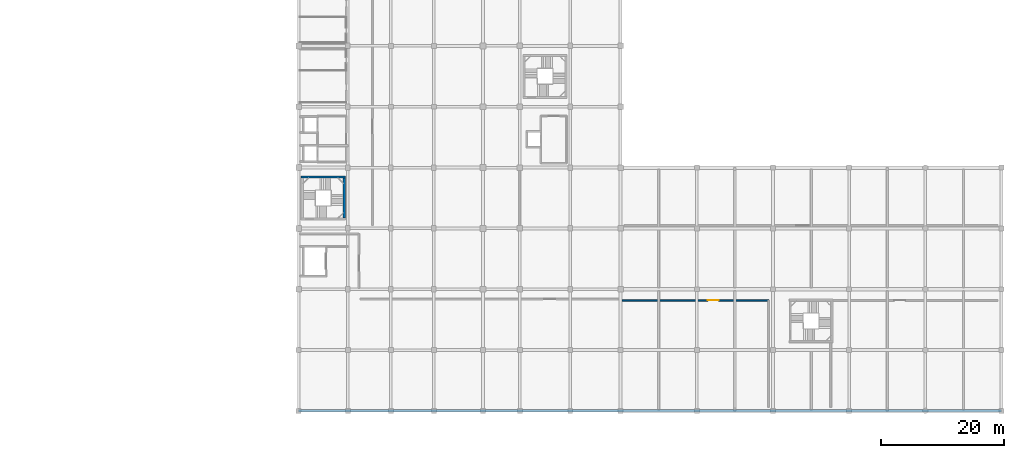
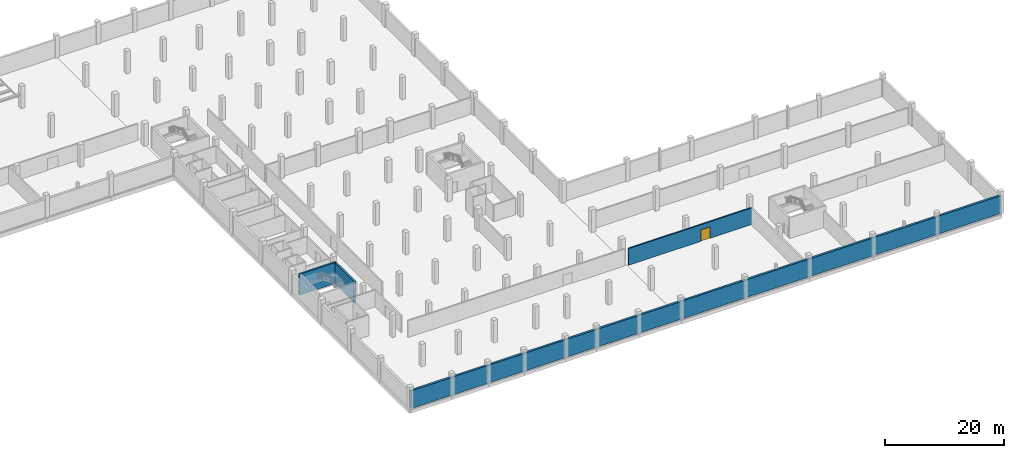
# One storey, part 10 of 32: 4 walls, 1 door, 1 opening.
"""IFC4 building model written with IfcOpenShell, lengths in metres."""

from ifc_helpers import new_model, si_unit, direction, frame, frame_2d, origin, place, context, subcontext, project, spatial, rectangle, extrude, material, layer, layer_set, type_object, element, fill, save


model = new_model("IFC4")

# Units and contexts
model_context = context("Model", 3, precision=1e-05, world=origin(), true_north=direction((0.0, 1.0)))
body_context = subcontext(model_context, "Body", "Model", "MODEL_VIEW")
ifc_project = project(units=[si_unit("LENGTHUNIT", "METRE"), si_unit("AREAUNIT", "SQUARE_METRE"), si_unit("VOLUMEUNIT", "CUBIC_METRE"), si_unit("PLANEANGLEUNIT", "RADIAN"), si_unit("MASSUNIT", "GRAM", prefix="KILO")], contexts=[model_context])

# Site, building, storey
site_placement = place(None, origin())
site = spatial("IfcSite", under=ifc_project, at=site_placement, CompositionType="ELEMENT")
building_placement = place(site_placement, origin())
building = spatial("IfcBuilding", under=site, at=building_placement, Name="Sillaruma Civic Art Gallery", CompositionType="ELEMENT")
storey_placement = place(building_placement, frame((0.0, 0.0, -4.590087890625)))
storey = spatial("IfcBuildingStorey", under=building, at=storey_placement, Name="B01", CompositionType="ELEMENT", Elevation=-4.590087890625)

# Walls
ifc_material_1 = material(Name="Concrete H40 (40 MPa)", Category="concrete")
ifc_layer_1 = layer(ifc_material_1, 0.35009765625, Name="Concrete H40 (40 MPa)")
ifc_layer_set_1 = layer_set([ifc_layer_1], Name="Concrete H40 (40 MPa)")
wall_type_1 = type_object("IfcWallType", Name="WAL-CORE-350", PredefinedType="SHEAR", material=ifc_layer_set_1)
wall_1_placement = place(storey_placement, frame((62.409912109375, 38.06494140625, 0.0), z_axis=(0.0, 0.0, 1.0), x_axis=(1.0, 0.0, 0.0)))
element("IfcWall", 1, at=wall_1_placement, inside=storey, type_object=wall_type_1, Name="Stair Core Shear Wall W-CORE-350 (ST-03:B01:N)", PredefinedType="SHEAR", context=body_context, shape_type="SweptSolid", body=[
    extrude(rectangle(XDim=7.18017578125, YDim=0.35009765625, at=frame_2d((3.590087890625, 0.0))), origin(), (0.0, 0.0, 1.0), 4.2900390625),
])
wall_2_placement = place(storey_placement, frame((69.4150390625, 31.409912109375, 0.0), z_axis=(0.0, 0.0, 1.0), x_axis=(0.0, 1.0, 0.0)))
element("IfcWall", 2, at=wall_2_placement, inside=storey, type_object=wall_type_1, Name="Stair Core Shear Wall W-CORE-350 (ST-03:B01:E)", PredefinedType="SHEAR", context=body_context, shape_type="SweptSolid", body=[
    extrude(rectangle(XDim=6.47998046875, YDim=0.35009765625, at=frame_2d((3.239990234375, 0.0))), origin(), (0.0, 0.0, 1.0), 4.2900390625),
])
ifc_layer_2 = layer(ifc_material_1, 0.39990234375, Name="Concrete H40 (40 MPa)")
ifc_layer_set_2 = layer_set([ifc_layer_2], Name="Concrete H40 (40 MPa)")
wall_type_2 = type_object("IfcWallType", Name="WAL-RET-400", PredefinedType="USERDEFINED", material=ifc_layer_set_2)
wall_3_placement = place(storey_placement, frame((62.0, 0.0, 0.0), z_axis=(0.0, 0.0, 1.0), x_axis=(1.0, 0.0, 0.0)))
element("IfcWall", 3, at=wall_3_placement, inside=storey, type_object=wall_type_2, Name="Exterior Wall W-RET-400 (RET-B01-01)", ObjectType="RETAININGWALL", PredefinedType="USERDEFINED", context=body_context, shape_type="SweptSolid", body=[
    extrude(rectangle(XDim=114.39990234375, YDim=0.39990234375, at=frame_2d((57.199951171875, 0.0))), origin(), (0.0, 0.0, 1.0), 3.64013671875),
])

# Wall, opening, door
ifc_material_2 = material(Name="Concrete Masonry Unit Grade M15", Category="masonry")
ifc_layer_3 = layer(ifc_material_2, 0.2548828125, Name="Concrete Masonry Unit Grade M15")
ifc_layer_set_3 = layer_set([ifc_layer_3], Name="Concrete Masonry Unit Grade M15")
wall_type_3 = type_object("IfcWallType", Name="WAL-STORE-250", PredefinedType="SOLIDWALL", material=ifc_layer_set_3)
wall_4_placement = place(storey_placement, frame((114.60009765625, 18.0, 0.0), z_axis=(0.0, 0.0, 1.0), x_axis=(1.0, 0.0, 0.0)))
wall_4 = element("IfcWall", 4, at=wall_4_placement, inside=storey, type_object=wall_type_3, Name="Interior Wall W-STORE-250 (B01-STRE2)", PredefinedType="SOLIDWALL", context=body_context, shape_type="SweptSolid", body=[
    extrude(rectangle(XDim=23.89990234375, YDim=0.2548828125, at=frame_2d((11.949951171875, 0.0))), origin(), (0.0, 0.0, 1.0), 3.41015625),
])
opening_placement = place(wall_4_placement, frame((14.0, 0.0, 0.0)))
opening = element("IfcOpeningElement", 5, at=opening_placement, cuts=wall_4, Name="Opening D-STR18", PredefinedType="OPENING", context=body_context, shape_type="SweptSolid", body=[
    extrude(rectangle(XDim=1.800048828125, YDim=2.35009765625, at=frame_2d((0.89990234375, 1.175048828125))), frame((0.0, 0.137451171875, 0.0), z_axis=(0.0, -1.0, 0.0), x_axis=(1.0, 0.0, 0.0)), (0.0, 0.0, 1.0), 0.27490234375),
])
ifc_material_3 = material(Name="Galvanised Steel ASTM A653 Gr.50", Category="steel")
door_type = type_object("IfcDoorType", Name="DOR-STORE-180", OperationType="NOTDEFINED", PredefinedType="DOOR", material=ifc_material_3)
door_placement = place(opening_placement, origin())
door = element("IfcDoor", 6, at=door_placement, inside=storey, type_object=door_type, Name="Crate Acclimatisation Art Store Door (D-STR18)", OperationType="DOUBLE_DOOR_SINGLE_SWING", OverallHeight=2.35009765625, OverallWidth=1.800048828125, PredefinedType="DOOR", context=body_context, shape_type="SweptSolid", body=[
    extrude(rectangle(XDim=1.800048828125, YDim=2.35009765625, at=frame_2d((0.89990234375, 1.175048828125))), frame((0.0, 0.02490234375, 0.0), z_axis=(0.0, -1.0, 0.0), x_axis=(1.0, 0.0, 0.0)), (0.0, 0.0, 1.0), 0.050048828125),
])
fill(opening, door)

save(model, "model.ifc")
